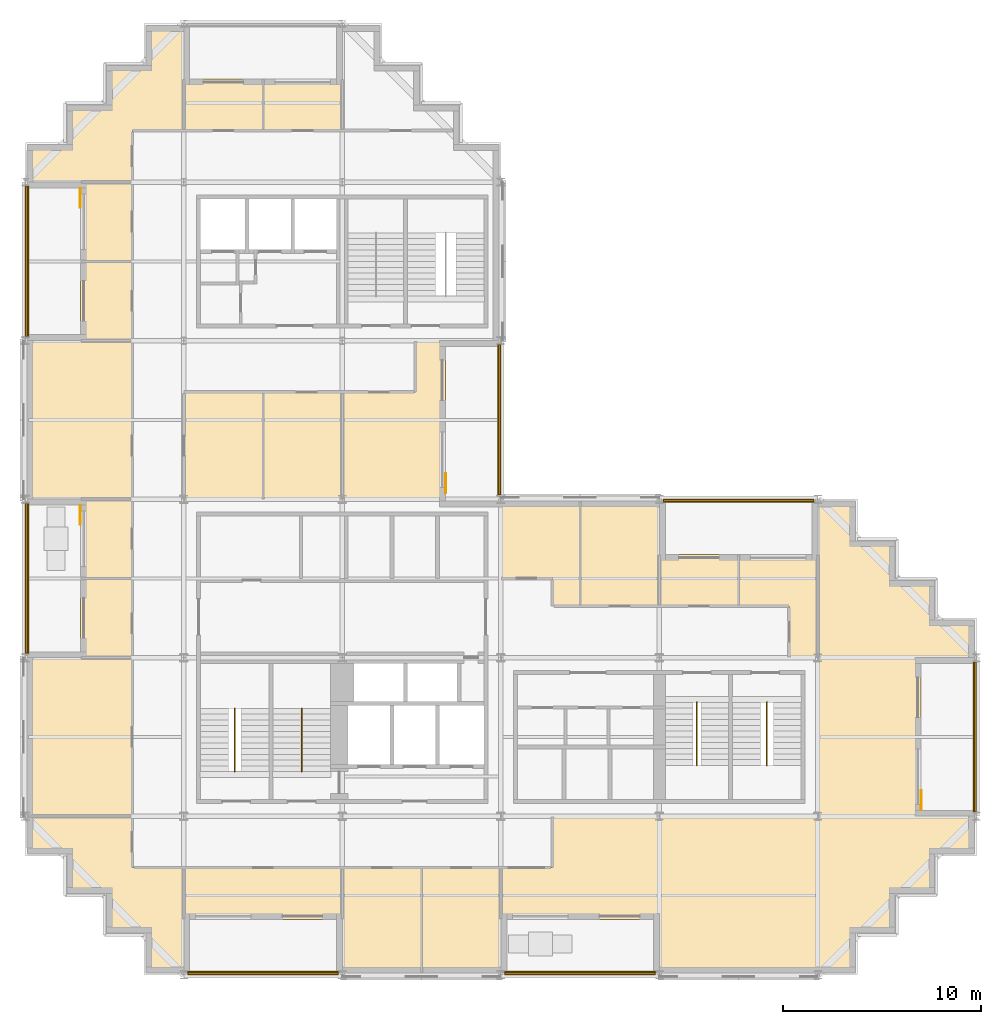
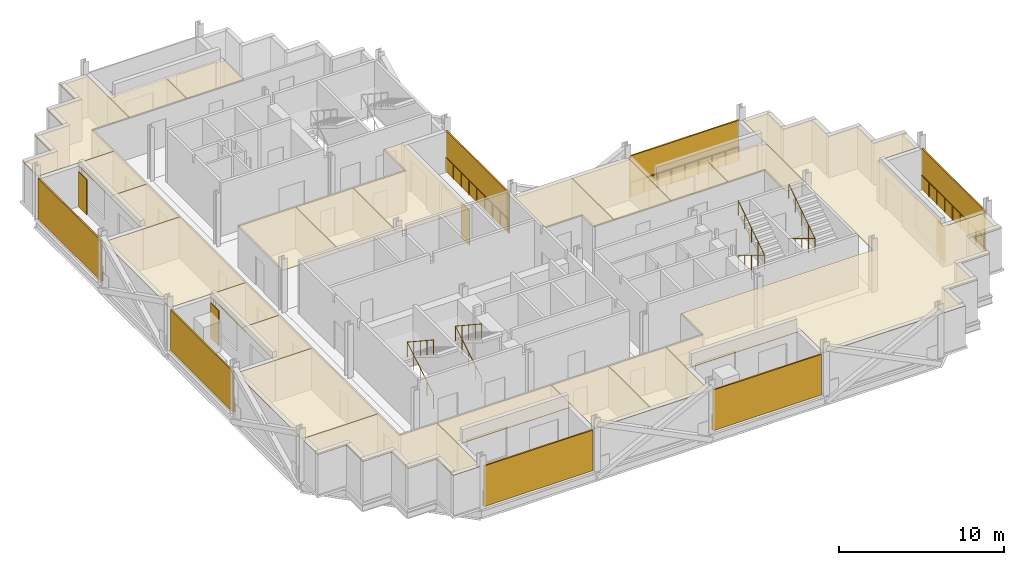
# One storey, part 10 of 12: 21 coverings, 11 railings, 11 shading devices.
"""IFC4 building model written with IfcOpenShell, lengths in metres."""

from ifc_helpers import new_model, si_unit, direction, frame, origin, origin_2d, place, context, subcontext, project, spatial, polyline, rectangle, circle, outline, extrude, material, layer, layer_set, type_object, element, save


model = new_model("IFC4")

# Units and contexts
model_context = context("Model", 3, precision=1e-05, world=origin(), true_north=direction((0.0, 1.0)))
body_context = subcontext(model_context, "Body", "Model", "MODEL_VIEW")
ifc_project = project(units=[si_unit("LENGTHUNIT", "METRE"), si_unit("AREAUNIT", "SQUARE_METRE"), si_unit("VOLUMEUNIT", "CUBIC_METRE"), si_unit("PLANEANGLEUNIT", "RADIAN"), si_unit("MASSUNIT", "GRAM", prefix="KILO")], contexts=[model_context])

# Site, building, storey
site_placement = place(None, origin())
site = spatial("IfcSite", under=ifc_project, at=site_placement, CompositionType="ELEMENT")
building_placement = place(site_placement, origin())
building = spatial("IfcBuilding", under=site, at=building_placement, Name="Immortelle Media Tower", CompositionType="ELEMENT")
storey_placement = place(building_placement, frame((0.0, 0.0, 178.800048828125)))
storey = spatial("IfcBuildingStorey", under=building, at=storey_placement, Name="L37", CompositionType="ELEMENT", Elevation=178.800048828125)

# Railings
ifc_material_1 = material(Name="Powder-coated aluminium fretwork panel, laminated glass backing", Category="aluminium")
railing_type_1 = type_object("IfcRailingType", Name="Fretwork balustrade 1100", PredefinedType="BALUSTRADE", material=ifc_material_1)
railing_1_placement = place(storey_placement, frame((8.202880859375, 0.139892578125, 0.0)))
element("IfcRailing", 1, at=railing_1_placement, inside=storey, type_object=railing_type_1, Name="Fretwork balustrade L37 S0", PredefinedType="BALUSTRADE", context=body_context, shape_type="SweptSolid", body=[
    extrude(circle(Radius=0.02490234375, at=origin_2d()), frame((0.0, 0.0, 1.0751953125), z_axis=(1.0, 0.0, 0.0), x_axis=(0.0, 1.0, 0.0)), (0.0, 0.0, 1.0), 7.591552734375),
    extrude(circle(Radius=0.02001953125, at=origin_2d()), origin(), (0.0, 0.0, 1.0), 1.050048828125),
    extrude(circle(Radius=0.02001953125, at=origin_2d()), frame((0.948974609375, 0.0, 0.0)), (0.0, 0.0, 1.0), 1.050048828125),
    extrude(circle(Radius=0.02001953125, at=origin_2d()), frame((1.89794921875, 0.0, 0.0)), (0.0, 0.0, 1.0), 1.050048828125),
    extrude(circle(Radius=0.02001953125, at=origin_2d()), frame((2.846923828125, 0.0, 0.0)), (0.0, 0.0, 1.0), 1.050048828125),
    extrude(circle(Radius=0.02001953125, at=origin_2d()), frame((3.7958984375, 0.0, 0.0)), (0.0, 0.0, 1.0), 1.050048828125),
    extrude(circle(Radius=0.02001953125, at=origin_2d()), frame((4.74462890625, 0.0, 0.0)), (0.0, 0.0, 1.0), 1.050048828125),
    extrude(circle(Radius=0.02001953125, at=origin_2d()), frame((5.693603515625, 0.0, 0.0)), (0.0, 0.0, 1.0), 1.050048828125),
    extrude(circle(Radius=0.02001953125, at=origin_2d()), frame((6.642578125, 0.0, 0.0)), (0.0, 0.0, 1.0), 1.050048828125),
    extrude(circle(Radius=0.02001953125, at=origin_2d()), frame((7.591552734375, 0.0, 0.0)), (0.0, 0.0, 1.0), 1.050048828125),
])
railing_2_placement = place(storey_placement, frame((24.20556640625, 0.139892578125, 0.0)))
element("IfcRailing", 2, at=railing_2_placement, inside=storey, type_object=railing_type_1, Name="Fretwork balustrade L37 S2", PredefinedType="BALUSTRADE", context=body_context, shape_type="SweptSolid", body=[
    extrude(circle(Radius=0.02490234375, at=origin_2d()), frame((0.0, 0.0, 1.0751953125), z_axis=(1.0, 0.0, 0.0), x_axis=(0.0, 1.0, 0.0)), (0.0, 0.0, 1.0), 7.5888671875),
    extrude(circle(Radius=0.02001953125, at=origin_2d()), origin(), (0.0, 0.0, 1.0), 1.050048828125),
    extrude(circle(Radius=0.02001953125, at=origin_2d()), frame((0.94873046875, 0.0, 0.0)), (0.0, 0.0, 1.0), 1.050048828125),
    extrude(circle(Radius=0.02001953125, at=origin_2d()), frame((1.897216796875, 0.0, 0.0)), (0.0, 0.0, 1.0), 1.050048828125),
    extrude(circle(Radius=0.02001953125, at=origin_2d()), frame((2.845703125, 0.0, 0.0)), (0.0, 0.0, 1.0), 1.050048828125),
    extrude(circle(Radius=0.02001953125, at=origin_2d()), frame((3.79443359375, 0.0, 0.0)), (0.0, 0.0, 1.0), 1.050048828125),
    extrude(circle(Radius=0.02001953125, at=origin_2d()), frame((4.7431640625, 0.0, 0.0)), (0.0, 0.0, 1.0), 1.050048828125),
    extrude(circle(Radius=0.02001953125, at=origin_2d()), frame((5.691650390625, 0.0, 0.0)), (0.0, 0.0, 1.0), 1.050048828125),
    extrude(circle(Radius=0.02001953125, at=origin_2d()), frame((6.64013671875, 0.0, 0.0)), (0.0, 0.0, 1.0), 1.050048828125),
    extrude(circle(Radius=0.02001953125, at=origin_2d()), frame((7.5888671875, 0.0, 0.0)), (0.0, 0.0, 1.0), 1.050048828125),
])
railing_3_placement = place(storey_placement, frame((47.860107421875, 8.20849609375, 0.0)))
element("IfcRailing", 3, at=railing_3_placement, inside=storey, type_object=railing_type_1, Name="Fretwork balustrade L37 E0", PredefinedType="BALUSTRADE", context=body_context, shape_type="SweptSolid", body=[
    extrude(circle(Radius=0.02490234375, at=origin_2d()), frame((0.0, 0.0, 1.0751953125), z_axis=(0.0, 1.0, 0.0), x_axis=(-1.0, 0.0, 0.0)), (0.0, 0.0, 1.0), 7.5830078125),
    extrude(circle(Radius=0.02001953125, at=origin_2d()), origin(), (0.0, 0.0, 1.0), 1.050048828125),
    extrude(circle(Radius=0.02001953125, at=origin_2d()), frame((0.0, 0.94775390625, 0.0)), (0.0, 0.0, 1.0), 1.050048828125),
    extrude(circle(Radius=0.02001953125, at=origin_2d()), frame((0.0, 1.895751953125, 0.0)), (0.0, 0.0, 1.0), 1.050048828125),
    extrude(circle(Radius=0.02001953125, at=origin_2d()), frame((0.0, 2.84375, 0.0)), (0.0, 0.0, 1.0), 1.050048828125),
    extrude(circle(Radius=0.02001953125, at=origin_2d()), frame((0.0, 3.79150390625, 0.0)), (0.0, 0.0, 1.0), 1.050048828125),
    extrude(circle(Radius=0.02001953125, at=origin_2d()), frame((0.0, 4.7392578125, 0.0)), (0.0, 0.0, 1.0), 1.050048828125),
    extrude(circle(Radius=0.02001953125, at=origin_2d()), frame((0.0, 5.687255859375, 0.0)), (0.0, 0.0, 1.0), 1.050048828125),
    extrude(circle(Radius=0.02001953125, at=origin_2d()), frame((0.0, 6.63525390625, 0.0)), (0.0, 0.0, 1.0), 1.050048828125),
    extrude(circle(Radius=0.02001953125, at=origin_2d()), frame((0.0, 7.5830078125, 0.0)), (0.0, 0.0, 1.0), 1.050048828125),
])
railing_4_placement = place(storey_placement, frame((39.797119140625, 23.860107421875, 0.0)))
element("IfcRailing", 4, at=railing_4_placement, inside=storey, type_object=railing_type_1, Name="Fretwork balustrade L37 N0", PredefinedType="BALUSTRADE", context=body_context, shape_type="SweptSolid", body=[
    extrude(circle(Radius=0.02490234375, at=origin_2d()), frame((0.0, 0.0, 1.0751953125), z_axis=(-1.0, 0.0, 0.0), x_axis=(0.0, -1.0, 0.0)), (0.0, 0.0, 1.0), 7.591552734375),
    extrude(circle(Radius=0.02001953125, at=origin_2d()), origin(), (0.0, 0.0, 1.0), 1.050048828125),
    extrude(circle(Radius=0.02001953125, at=origin_2d()), frame((-0.948974609375, 0.0, 0.0)), (0.0, 0.0, 1.0), 1.050048828125),
    extrude(circle(Radius=0.02001953125, at=origin_2d()), frame((-1.89794921875, 0.0, 0.0)), (0.0, 0.0, 1.0), 1.050048828125),
    extrude(circle(Radius=0.02001953125, at=origin_2d()), frame((-2.846923828125, 0.0, 0.0)), (0.0, 0.0, 1.0), 1.050048828125),
    extrude(circle(Radius=0.02001953125, at=origin_2d()), frame((-3.7958984375, 0.0, 0.0)), (0.0, 0.0, 1.0), 1.050048828125),
    extrude(circle(Radius=0.02001953125, at=origin_2d()), frame((-4.74462890625, 0.0, 0.0)), (0.0, 0.0, 1.0), 1.050048828125),
    extrude(circle(Radius=0.02001953125, at=origin_2d()), frame((-5.693603515625, 0.0, 0.0)), (0.0, 0.0, 1.0), 1.050048828125),
    extrude(circle(Radius=0.02001953125, at=origin_2d()), frame((-6.642578125, 0.0, 0.0)), (0.0, 0.0, 1.0), 1.050048828125),
    extrude(circle(Radius=0.02001953125, at=origin_2d()), frame((-7.591552734375, 0.0, 0.0)), (0.0, 0.0, 1.0), 1.050048828125),
])
railing_5_placement = place(storey_placement, frame((23.860107421875, 24.217041015625, 0.0)))
element("IfcRailing", 5, at=railing_5_placement, inside=storey, type_object=railing_type_1, Name="Fretwork balustrade L37 E0", PredefinedType="BALUSTRADE", context=body_context, shape_type="SweptSolid", body=[
    extrude(circle(Radius=0.02490234375, at=origin_2d()), frame((0.0, 0.0, 1.0751953125), z_axis=(0.0, 1.0, 0.0), x_axis=(-1.0, 0.0, 0.0)), (0.0, 0.0, 1.0), 7.58984375),
    extrude(circle(Radius=0.02001953125, at=origin_2d()), origin(), (0.0, 0.0, 1.0), 1.050048828125),
    extrude(circle(Radius=0.02001953125, at=origin_2d()), frame((0.0, 0.94873046875, 0.0)), (0.0, 0.0, 1.0), 1.050048828125),
    extrude(circle(Radius=0.02001953125, at=origin_2d()), frame((0.0, 1.8974609375, 0.0)), (0.0, 0.0, 1.0), 1.050048828125),
    extrude(circle(Radius=0.02001953125, at=origin_2d()), frame((0.0, 2.84619140625, 0.0)), (0.0, 0.0, 1.0), 1.050048828125),
    extrude(circle(Radius=0.02001953125, at=origin_2d()), frame((0.0, 3.794921875, 0.0)), (0.0, 0.0, 1.0), 1.050048828125),
    extrude(circle(Radius=0.02001953125, at=origin_2d()), frame((0.0, 4.74365234375, 0.0)), (0.0, 0.0, 1.0), 1.050048828125),
    extrude(circle(Radius=0.02001953125, at=origin_2d()), frame((0.0, 5.6923828125, 0.0)), (0.0, 0.0, 1.0), 1.050048828125),
    extrude(circle(Radius=0.02001953125, at=origin_2d()), frame((0.0, 6.64111328125, 0.0)), (0.0, 0.0, 1.0), 1.050048828125),
    extrude(circle(Radius=0.02001953125, at=origin_2d()), frame((0.0, 7.58984375, 0.0)), (0.0, 0.0, 1.0), 1.050048828125),
])
railing_6_placement = place(storey_placement, frame((0.139892578125, 39.81591796875, 0.0)))
element("IfcRailing", 6, at=railing_6_placement, inside=storey, type_object=railing_type_1, Name="Fretwork balustrade L37 W0", PredefinedType="BALUSTRADE", context=body_context, shape_type="SweptSolid", body=[
    extrude(circle(Radius=0.02490234375, at=origin_2d()), frame((0.0, 0.0, 1.0751953125), z_axis=(0.0, -1.0, 0.0), x_axis=(1.0, 0.0, 0.0)), (0.0, 0.0, 1.0), 7.622802734375),
    extrude(circle(Radius=0.02001953125, at=origin_2d()), origin(), (0.0, 0.0, 1.0), 1.050048828125),
    extrude(circle(Radius=0.02001953125, at=origin_2d()), frame((0.0, -0.952880859375, 0.0)), (0.0, 0.0, 1.0), 1.050048828125),
    extrude(circle(Radius=0.02001953125, at=origin_2d()), frame((0.0, -1.90576171875, 0.0)), (0.0, 0.0, 1.0), 1.050048828125),
    extrude(circle(Radius=0.02001953125, at=origin_2d()), frame((0.0, -2.858642578125, 0.0)), (0.0, 0.0, 1.0), 1.050048828125),
    extrude(circle(Radius=0.02001953125, at=origin_2d()), frame((0.0, -3.8115234375, 0.0)), (0.0, 0.0, 1.0), 1.050048828125),
    extrude(circle(Radius=0.02001953125, at=origin_2d()), frame((0.0, -4.76416015625, 0.0)), (0.0, 0.0, 1.0), 1.050048828125),
    extrude(circle(Radius=0.02001953125, at=origin_2d()), frame((0.0, -5.717041015625, 0.0)), (0.0, 0.0, 1.0), 1.050048828125),
    extrude(circle(Radius=0.02001953125, at=origin_2d()), frame((0.0, -6.669921875, 0.0)), (0.0, 0.0, 1.0), 1.050048828125),
    extrude(circle(Radius=0.02001953125, at=origin_2d()), frame((0.0, -7.622802734375, 0.0)), (0.0, 0.0, 1.0), 1.050048828125),
])
railing_7_placement = place(storey_placement, frame((0.139892578125, 23.806884765625, 0.0)))
element("IfcRailing", 7, at=railing_7_placement, inside=storey, type_object=railing_type_1, Name="Fretwork balustrade L37 W2", PredefinedType="BALUSTRADE", context=body_context, shape_type="SweptSolid", body=[
    extrude(circle(Radius=0.02490234375, at=origin_2d()), frame((0.0, 0.0, 1.0751953125), z_axis=(0.0, -1.0, 0.0), x_axis=(1.0, 0.0, 0.0)), (0.0, 0.0, 1.0), 7.58984375),
    extrude(circle(Radius=0.02001953125, at=origin_2d()), origin(), (0.0, 0.0, 1.0), 1.050048828125),
    extrude(circle(Radius=0.02001953125, at=origin_2d()), frame((0.0, -0.94873046875, 0.0)), (0.0, 0.0, 1.0), 1.050048828125),
    extrude(circle(Radius=0.02001953125, at=origin_2d()), frame((0.0, -1.8974609375, 0.0)), (0.0, 0.0, 1.0), 1.050048828125),
    extrude(circle(Radius=0.02001953125, at=origin_2d()), frame((0.0, -2.84619140625, 0.0)), (0.0, 0.0, 1.0), 1.050048828125),
    extrude(circle(Radius=0.02001953125, at=origin_2d()), frame((0.0, -3.794921875, 0.0)), (0.0, 0.0, 1.0), 1.050048828125),
    extrude(circle(Radius=0.02001953125, at=origin_2d()), frame((0.0, -4.74365234375, 0.0)), (0.0, 0.0, 1.0), 1.050048828125),
    extrude(circle(Radius=0.02001953125, at=origin_2d()), frame((0.0, -5.6923828125, 0.0)), (0.0, 0.0, 1.0), 1.050048828125),
    extrude(circle(Radius=0.02001953125, at=origin_2d()), frame((0.0, -6.64111328125, 0.0)), (0.0, 0.0, 1.0), 1.050048828125),
    extrude(circle(Radius=0.02001953125, at=origin_2d()), frame((0.0, -7.58984375, 0.0)), (0.0, 0.0, 1.0), 1.050048828125),
])

# Shading devices
ifc_material_2 = material(Name="Pale aluminium louvre blades", Category="aluminium")
ifc_layer_1 = layer(ifc_material_2, 0.10009765625)
ifc_layer_set_1 = layer_set([ifc_layer_1], Name="Pale aluminium louvre blades")
shading_device_type_1 = type_object("IfcShadingDeviceType", Name="Jalousie screen 100", PredefinedType="JALOUSIE", material=ifc_layer_set_1)
shading_device_1_placement = place(storey_placement, frame((11.998779296875, 0.050048828125, 0.0), z_axis=(0.0, 0.0, 1.0), x_axis=(1.0, 0.0, 0.0)))
element("IfcShadingDevice", 8, at=shading_device_1_placement, inside=storey, type_object=shading_device_type_1, Name="Jalousie screen L37 S0", PredefinedType="JALOUSIE", context=body_context, shape_type="SweptSolid", body=[
    extrude(rectangle(XDim=7.591552734375, YDim=0.10009765625, at=origin_2d()), origin(), (0.0, 0.0, 1.0), 3.0),
])
shading_device_2_placement = place(storey_placement, frame((28.0, 0.050048828125, 0.0), z_axis=(0.0, 0.0, 1.0), x_axis=(1.0, 0.0, 0.0)))
element("IfcShadingDevice", 9, at=shading_device_2_placement, inside=storey, type_object=shading_device_type_1, Name="Jalousie screen L37 S2", PredefinedType="JALOUSIE", context=body_context, shape_type="SweptSolid", body=[
    extrude(rectangle(XDim=7.589111328125, YDim=0.10009765625, at=origin_2d()), origin(), (0.0, 0.0, 1.0), 3.0),
])
shading_device_3_placement = place(storey_placement, frame((47.949951171875, 12.0, 0.0), z_axis=(0.0, 0.0, 1.0), x_axis=(0.0, 1.0, 0.0)))
element("IfcShadingDevice", 10, at=shading_device_3_placement, inside=storey, type_object=shading_device_type_1, Name="Jalousie screen L37 E0", PredefinedType="JALOUSIE", context=body_context, shape_type="SweptSolid", body=[
    extrude(rectangle(XDim=7.5830078125, YDim=0.10009765625, at=origin_2d()), origin(), (0.0, 0.0, 1.0), 3.0),
])
shading_device_4_placement = place(storey_placement, frame((36.001220703125, 23.949951171875, 0.0), z_axis=(0.0, 0.0, 1.0), x_axis=(-1.0, 0.0, 0.0)))
element("IfcShadingDevice", 11, at=shading_device_4_placement, inside=storey, type_object=shading_device_type_1, Name="Jalousie screen L37 N0", PredefinedType="JALOUSIE", context=body_context, shape_type="SweptSolid", body=[
    extrude(rectangle(XDim=7.591552734375, YDim=0.10009765625, at=origin_2d()), origin(), (0.0, 0.0, 1.0), 3.0),
])
shading_device_5_placement = place(storey_placement, frame((23.949951171875, 28.011962890625, 0.0), z_axis=(0.0, 0.0, 1.0), x_axis=(0.0, 1.0, 0.0)))
element("IfcShadingDevice", 12, at=shading_device_5_placement, inside=storey, type_object=shading_device_type_1, Name="Jalousie screen L37 E0", PredefinedType="JALOUSIE", context=body_context, shape_type="SweptSolid", body=[
    extrude(rectangle(XDim=7.590087890625, YDim=0.10009765625, at=origin_2d()), origin(), (0.0, 0.0, 1.0), 3.0),
])
shading_device_6_placement = place(storey_placement, frame((0.050048828125, 36.00439453125, 0.0), z_axis=(0.0, 0.0, 1.0), x_axis=(0.0, -1.0, 0.0)))
element("IfcShadingDevice", 13, at=shading_device_6_placement, inside=storey, type_object=shading_device_type_1, Name="Jalousie screen L37 W0", PredefinedType="JALOUSIE", context=body_context, shape_type="SweptSolid", body=[
    extrude(rectangle(XDim=7.623046875, YDim=0.10009765625, at=origin_2d()), origin(), (0.0, 0.0, 1.0), 3.0),
])
shading_device_7_placement = place(storey_placement, frame((0.050048828125, 20.011962890625, 0.0), z_axis=(0.0, 0.0, 1.0), x_axis=(0.0, -1.0, 0.0)))
element("IfcShadingDevice", 14, at=shading_device_7_placement, inside=storey, type_object=shading_device_type_1, Name="Jalousie screen L37 W2", PredefinedType="JALOUSIE", context=body_context, shape_type="SweptSolid", body=[
    extrude(rectangle(XDim=7.590087890625, YDim=0.10009765625, at=origin_2d()), origin(), (0.0, 0.0, 1.0), 3.0),
])
ifc_material_3 = material(Name="Pale aluminium louvre blades in a folding frame", Category="aluminium")
ifc_layer_2 = layer(ifc_material_3, 0.050048828125)
ifc_layer_set_2 = layer_set([ifc_layer_2], Name="Pale aluminium louvre blades in a folding frame")
shading_device_type_2 = type_object("IfcShadingDeviceType", Name="Louvred loggia shutter", PredefinedType="SHUTTER", material=ifc_layer_set_2)
for number, where, z_axis, x_axis, name in (
    (15, (45.22509765625, 8.800048828125, 0.0), (0.0, 0.0, 1.0), (0.0, 1.0, 0.0), "Loggia shutter L37 E0"),
    (16, (21.22509765625, 24.800048828125, 0.0), (0.0, 0.0, 1.0), (0.0, 1.0, 0.0), "Loggia shutter L37 E0"),
    (17, (2.77490234375, 39.199951171875, 0.0), (0.0, 0.0, 1.0), (0.0, -1.0, 0.0), "Loggia shutter L37 W0"),
    (18, (2.77490234375, 23.199951171875, 0.0), (0.0, 0.0, 1.0), (0.0, -1.0, 0.0), "Loggia shutter L37 W2"),
):
    element("IfcShadingDevice", number, at=place(storey_placement, frame(where, z_axis=z_axis, x_axis=x_axis)), inside=storey, type_object=shading_device_type_2, Name=name, PredefinedType="SHUTTER", context=body_context, shape_type="SweptSolid", body=[
        extrude(rectangle(XDim=1.0, YDim=0.050048828125, at=origin_2d()), origin(), (0.0, 0.0, 1.0), 2.60009765625),
    ])

# Railings
ifc_material_4 = material(Name="Stainless steel AISI 316", Category="steel")
railing_type_2 = type_object("IfcRailingType", Name="Stair guard 1100", PredefinedType="GUARDRAIL", material=ifc_material_4)
for number, where, name in (
    (19, (10.574951171875, 10.25, 0.175048828125), "Stair guard SW1"),
    (20, (13.949951171875, 10.25, 0.175048828125), "Stair guard SW2"),
):
    element("IfcRailing", number, at=place(storey_placement, frame(where)), inside=storey, type_object=railing_type_2, Name=name, PredefinedType="GUARDRAIL", context=body_context, shape_type="SweptSolid", body=[
        extrude(circle(Radius=0.02392578125, at=origin_2d()), frame((0.0, 0.0, 1.076171875), z_axis=(0.0, 0.856206652436, 0.516633495163), x_axis=(-1.0, 0.0, 0.0)), (0.0, 0.0, 1.0), 3.7255859375),
        extrude(circle(Radius=0.02392578125, at=origin_2d()), frame((0.0, 3.18994140625, 3.0009765625), z_axis=(0.0, -0.835242474824, 0.549881812983), x_axis=(1.0, 0.0, 0.0)), (0.0, 0.0, 1.0), 3.819091796875),
        extrude(circle(Radius=0.02099609375, at=origin_2d()), origin(), (0.0, 0.0, 1.0), 1.052001953125),
        extrude(circle(Radius=0.02099609375, at=origin_2d()), frame((0.0, 0.79736328125, 0.481201171875)), (0.0, 0.0, 1.0), 1.052001953125),
        extrude(circle(Radius=0.02099609375, at=origin_2d()), frame((0.0, 1.594970703125, 0.96240234375)), (0.0, 0.0, 1.0), 1.052001953125),
        extrude(circle(Radius=0.02099609375, at=origin_2d()), frame((0.0, 2.392578125, 1.443603515625)), (0.0, 0.0, 1.0), 1.052001953125),
        extrude(circle(Radius=0.02099609375, at=origin_2d()), frame((0.0, 3.18994140625, 1.9248046875)), (0.0, 0.0, 1.0), 1.052001953125),
        extrude(circle(Radius=0.02099609375, at=origin_2d()), frame((0.0, 2.392578125, 2.44970703125)), (0.0, 0.0, 1.0), 1.052001953125),
        extrude(circle(Radius=0.02099609375, at=origin_2d()), frame((0.0, 1.594970703125, 2.974853515625)), (0.0, 0.0, 1.0), 1.052001953125),
        extrude(circle(Radius=0.02099609375, at=origin_2d()), frame((0.0, 0.79736328125, 3.5)), (0.0, 0.0, 1.0), 1.052001953125),
        extrude(circle(Radius=0.02099609375, at=origin_2d()), frame((0.0, 0.0, 4.02490234375)), (0.0, 0.0, 1.0), 1.052001953125),
    ])
for number, where, name in (
    (21, (33.89990234375, 13.75, 0.175048828125), "Stair guard SE1"),
    (22, (37.425048828125, 13.75, 0.175048828125), "Stair guard SE2"),
):
    element("IfcRailing", number, at=place(storey_placement, frame(where)), inside=storey, type_object=railing_type_2, Name=name, PredefinedType="GUARDRAIL", context=body_context, shape_type="SweptSolid", body=[
        extrude(circle(Radius=0.02392578125, at=origin_2d()), frame((0.0, 0.0, 1.076171875), z_axis=(0.0, -0.856206652436, 0.516633495163), x_axis=(1.0, 0.0, 0.0)), (0.0, 0.0, 1.0), 3.7255859375),
        extrude(circle(Radius=0.02392578125, at=origin_2d()), frame((0.0, -3.18994140625, 3.0009765625), z_axis=(0.0, 0.835242474824, 0.549881812983), x_axis=(-1.0, 0.0, 0.0)), (0.0, 0.0, 1.0), 3.819091796875),
        extrude(circle(Radius=0.02099609375, at=origin_2d()), origin(), (0.0, 0.0, 1.0), 1.052001953125),
        extrude(circle(Radius=0.02099609375, at=origin_2d()), frame((0.0, -0.79736328125, 0.481201171875)), (0.0, 0.0, 1.0), 1.052001953125),
        extrude(circle(Radius=0.02099609375, at=origin_2d()), frame((0.0, -1.594970703125, 0.96240234375)), (0.0, 0.0, 1.0), 1.052001953125),
        extrude(circle(Radius=0.02099609375, at=origin_2d()), frame((0.0, -2.392578125, 1.443603515625)), (0.0, 0.0, 1.0), 1.052001953125),
        extrude(circle(Radius=0.02099609375, at=origin_2d()), frame((0.0, -3.18994140625, 1.9248046875)), (0.0, 0.0, 1.0), 1.052001953125),
        extrude(circle(Radius=0.02099609375, at=origin_2d()), frame((0.0, -2.392578125, 2.44970703125)), (0.0, 0.0, 1.0), 1.052001953125),
        extrude(circle(Radius=0.02099609375, at=origin_2d()), frame((0.0, -1.594970703125, 2.974853515625)), (0.0, 0.0, 1.0), 1.052001953125),
        extrude(circle(Radius=0.02099609375, at=origin_2d()), frame((0.0, -0.79736328125, 3.5)), (0.0, 0.0, 1.0), 1.052001953125),
        extrude(circle(Radius=0.02099609375, at=origin_2d()), frame((0.0, 0.0, 4.02490234375)), (0.0, 0.0, 1.0), 1.052001953125),
    ])

# Coverings
ifc_material_5 = material(Name="Mineral fibre tile ceiling")
ifc_layer_3 = layer(ifc_material_5, 0.050048828125)
ifc_layer_set_3 = layer_set([ifc_layer_3], Name="Mineral fibre tile ceiling")
covering_type = type_object("IfcCoveringType", Name="Suspended ceiling 50", PredefinedType="CEILING", material=ifc_layer_set_3)
covering_1_placement = place(storey_placement, frame((0.0, 0.0, 2.94384765625)))
element("IfcCovering", 23, at=covering_1_placement, inside=storey, type_object=covering_type, Name="Ceiling L37-001", PredefinedType="CEILING", context=body_context, shape_type="SweptSolid", body=[
    extrude(outline(polyline([(16.0, 2.800048828125), (16.0, 5.39990234375), (20.0, 5.39990234375), (20.0, 0.10009765625), (16.0, 0.10009765625), (16.0, 2.800048828125)])), origin(), (0.0, 0.0, 1.0), 0.050048828125),
])
covering_2_placement = place(storey_placement, frame((0.0, 0.0, 2.94384765625)))
element("IfcCovering", 24, at=covering_2_placement, inside=storey, type_object=covering_type, Name="Ceiling L37-002", PredefinedType="CEILING", context=body_context, shape_type="SweptSolid", body=[
    extrude(outline(polyline([(24.0, 5.39990234375), (24.0, 2.800048828125), (24.0, 0.10009765625), (20.0, 0.10009765625), (20.0, 5.39990234375), (24.0, 5.39990234375)])), origin(), (0.0, 0.0, 1.0), 0.050048828125),
])
covering_3_placement = place(storey_placement, frame((0.0, 0.0, 2.94384765625)))
element("IfcCovering", 25, at=covering_3_placement, inside=storey, type_object=covering_type, Name="Ceiling L37-003", PredefinedType="CEILING", context=body_context, shape_type="SweptSolid", body=[
    extrude(outline(polyline([(8.0, 2.800048828125), (8.0, 5.39990234375), (16.0, 5.39990234375), (16.0, 2.800048828125), (8.0, 2.800048828125)])), origin(), (0.0, 0.0, 1.0), 0.050048828125),
])
covering_4_placement = place(storey_placement, frame((0.0, 0.0, 2.94384765625)))
element("IfcCovering", 26, at=covering_4_placement, inside=storey, type_object=covering_type, Name="Ceiling L37-004", PredefinedType="CEILING", context=body_context, shape_type="SweptSolid", body=[
    extrude(outline(polyline([(4.10009765625, 2.10009765625), (4.10009765625, 4.10009765625), (4.0, 4.10009765625), (2.10009765625, 4.10009765625), (2.10009765625, 6.10009765625), (0.10009765625, 6.10009765625), (0.10009765625, 8.0), (4.0, 8.0), (5.39990234375, 8.0), (5.39990234375, 5.39990234375), (8.0, 5.39990234375), (8.0, 2.800048828125), (8.0, 0.10009765625), (6.10009765625, 0.10009765625), (6.10009765625, 2.10009765625), (4.10009765625, 2.10009765625)])), origin(), (0.0, 0.0, 1.0), 0.050048828125),
])
covering_5_placement = place(storey_placement, frame((0.0, 0.0, 2.94384765625)))
element("IfcCovering", 27, at=covering_5_placement, inside=storey, type_object=covering_type, Name="Ceiling L37-005", PredefinedType="CEILING", context=body_context, shape_type="SweptSolid", body=[
    extrude(outline(polyline([(26.60009765625, 5.39990234375), (26.60009765625, 8.0), (32.0, 8.0), (40.0, 8.0), (40.0, 16.0), (40.0, 21.199951171875), (40.0, 23.89990234375), (41.89990234375, 23.89990234375), (41.89990234375, 21.89990234375), (43.89990234375, 21.89990234375), (43.89990234375, 19.89990234375), (45.89990234375, 19.89990234375), (45.89990234375, 17.89990234375), (47.89990234375, 17.89990234375), (47.89990234375, 16.0), (45.199951171875, 16.0), (45.199951171875, 8.0), (47.89990234375, 8.0), (47.89990234375, 6.10009765625), (45.89990234375, 6.10009765625), (45.89990234375, 4.10009765625), (43.89990234375, 4.10009765625), (43.89990234375, 2.10009765625), (41.89990234375, 2.10009765625), (41.89990234375, 0.10009765625), (40.0, 0.10009765625), (32.0, 0.10009765625), (32.0, 2.800048828125), (24.0, 2.800048828125), (24.0, 5.39990234375), (26.60009765625, 5.39990234375)])), origin(), (0.0, 0.0, 1.0), 0.050048828125),
])
covering_6_placement = place(storey_placement, frame((0.0, 0.0, 2.94384765625)))
element("IfcCovering", 28, at=covering_6_placement, inside=storey, type_object=covering_type, Name="Ceiling L37-006", PredefinedType="CEILING", context=body_context, shape_type="SweptSolid", body=[
    extrude(outline(polyline([(5.39990234375, 8.0), (0.10009765625, 8.0), (0.10009765625, 16.0), (2.800048828125, 16.0), (5.39990234375, 16.0), (5.39990234375, 8.0)])), origin(), (0.0, 0.0, 1.0), 0.050048828125),
])
covering_7_placement = place(storey_placement, frame((0.0, 0.0, 2.94384765625)))
element("IfcCovering", 29, at=covering_7_placement, inside=storey, type_object=covering_type, Name="Ceiling L37-007", PredefinedType="CEILING", context=body_context, shape_type="SweptSolid", body=[
    extrude(outline(polyline([(32.0, 18.60009765625), (32.0, 21.199951171875), (36.0, 21.199951171875), (36.0, 18.60009765625), (32.0, 18.60009765625)])), origin(), (0.0, 0.0, 1.0), 0.050048828125),
])
covering_8_placement = place(storey_placement, frame((0.0, 0.0, 2.94384765625)))
element("IfcCovering", 30, at=covering_8_placement, inside=storey, type_object=covering_type, Name="Ceiling L37-008", PredefinedType="CEILING", context=body_context, shape_type="SweptSolid", body=[
    extrude(outline(polyline([(38.550048828125, 18.60009765625), (36.0, 18.60009765625), (36.0, 21.199951171875), (40.0, 21.199951171875), (40.0, 16.0), (38.550048828125, 16.0), (38.550048828125, 18.60009765625)])), origin(), (0.0, 0.0, 1.0), 0.050048828125),
])
covering_9_placement = place(storey_placement, frame((0.0, 0.0, 2.94384765625)))
element("IfcCovering", 31, at=covering_9_placement, inside=storey, type_object=covering_type, Name="Ceiling L37-009", PredefinedType="CEILING", context=body_context, shape_type="SweptSolid", body=[
    extrude(outline(polyline([(5.39990234375, 16.0), (2.800048828125, 16.0), (2.800048828125, 20.0), (5.39990234375, 20.0), (5.39990234375, 19.449951171875), (5.39990234375, 16.0)])), origin(), (0.0, 0.0, 1.0), 0.050048828125),
])
covering_10_placement = place(storey_placement, frame((0.0, 0.0, 2.94384765625)))
element("IfcCovering", 32, at=covering_10_placement, inside=storey, type_object=covering_type, Name="Ceiling L37-010", PredefinedType="CEILING", context=body_context, shape_type="SweptSolid", body=[
    extrude(outline(polyline([(2.800048828125, 24.0), (5.39990234375, 24.0), (5.39990234375, 20.0), (2.800048828125, 20.0), (2.800048828125, 24.0)])), origin(), (0.0, 0.0, 1.0), 0.050048828125),
])
covering_11_placement = place(storey_placement, frame((0.0, 0.0, 2.94384765625)))
element("IfcCovering", 33, at=covering_11_placement, inside=storey, type_object=covering_type, Name="Ceiling L37-011", PredefinedType="CEILING", context=body_context, shape_type="SweptSolid", body=[
    extrude(outline(polyline([(26.60009765625, 18.60009765625), (26.60009765625, 20.0), (24.0, 20.0), (24.0, 23.89990234375), (28.0, 23.89990234375), (28.0, 18.60009765625), (27.0, 18.60009765625), (26.60009765625, 18.60009765625)])), origin(), (0.0, 0.0, 1.0), 0.050048828125),
])
covering_12_placement = place(storey_placement, frame((0.0, 0.0, 2.94384765625)))
element("IfcCovering", 34, at=covering_12_placement, inside=storey, type_object=covering_type, Name="Ceiling L37-012", PredefinedType="CEILING", context=body_context, shape_type="SweptSolid", body=[
    extrude(outline(polyline([(32.0, 23.89990234375), (32.0, 21.199951171875), (32.0, 18.60009765625), (28.0, 18.60009765625), (28.0, 23.89990234375), (32.0, 23.89990234375)])), origin(), (0.0, 0.0, 1.0), 0.050048828125),
])
covering_13_placement = place(storey_placement, frame((0.0, 0.0, 2.94384765625)))
element("IfcCovering", 35, at=covering_13_placement, inside=storey, type_object=covering_type, Name="Ceiling L37-013", PredefinedType="CEILING", context=body_context, shape_type="SweptSolid", body=[
    extrude(outline(polyline([(8.0, 29.39990234375), (12.0, 29.39990234375), (12.0, 24.0), (8.0, 24.0), (8.0, 29.39990234375)])), origin(), (0.0, 0.0, 1.0), 0.050048828125),
])
covering_14_placement = place(storey_placement, frame((0.0, 0.0, 2.94384765625)))
element("IfcCovering", 36, at=covering_14_placement, inside=storey, type_object=covering_type, Name="Ceiling L37-014", PredefinedType="CEILING", context=body_context, shape_type="SweptSolid", body=[
    extrude(outline(polyline([(12.199951171875, 29.39990234375), (12.39990234375, 29.39990234375), (16.0, 29.39990234375), (16.0, 24.0), (12.0, 24.0), (12.0, 29.39990234375), (12.199951171875, 29.39990234375)])), origin(), (0.0, 0.0, 1.0), 0.050048828125),
])
covering_15_placement = place(storey_placement, frame((0.0, 0.0, 2.94384765625)))
element("IfcCovering", 37, at=covering_15_placement, inside=storey, type_object=covering_type, Name="Ceiling L37-015", PredefinedType="CEILING", context=body_context, shape_type="SweptSolid", body=[
    extrude(outline(polyline([(16.0, 24.0), (16.0, 29.39990234375), (19.699951171875, 29.39990234375), (19.699951171875, 32.0), (21.199951171875, 32.0), (21.199951171875, 24.0), (16.0, 24.0)])), origin(), (0.0, 0.0, 1.0), 0.050048828125),
])
covering_16_placement = place(storey_placement, frame((0.0, 0.0, 2.94384765625)))
element("IfcCovering", 38, at=covering_16_placement, inside=storey, type_object=covering_type, Name="Ceiling L37-016", PredefinedType="CEILING", context=body_context, shape_type="SweptSolid", body=[
    extrude(outline(polyline([(5.39990234375, 29.39990234375), (5.39990234375, 24.0), (2.800048828125, 24.0), (0.10009765625, 24.0), (0.10009765625, 32.0), (2.800048828125, 32.0), (5.39990234375, 32.0), (5.39990234375, 29.39990234375)])), origin(), (0.0, 0.0, 1.0), 0.050048828125),
])
covering_17_placement = place(storey_placement, frame((0.0, 0.0, 2.94384765625)))
element("IfcCovering", 39, at=covering_17_placement, inside=storey, type_object=covering_type, Name="Ceiling L37-017", PredefinedType="CEILING", context=body_context, shape_type="SweptSolid", body=[
    extrude(outline(polyline([(5.39990234375, 32.0), (2.800048828125, 32.0), (2.800048828125, 36.0), (5.39990234375, 36.0), (5.39990234375, 32.0)])), origin(), (0.0, 0.0, 1.0), 0.050048828125),
])
covering_18_placement = place(storey_placement, frame((0.0, 0.0, 2.94384765625)))
element("IfcCovering", 40, at=covering_18_placement, inside=storey, type_object=covering_type, Name="Ceiling L37-018", PredefinedType="CEILING", context=body_context, shape_type="SweptSolid", body=[
    extrude(outline(polyline([(2.800048828125, 40.0), (5.39990234375, 40.0), (5.39990234375, 36.0), (2.800048828125, 36.0), (2.800048828125, 40.0)])), origin(), (0.0, 0.0, 1.0), 0.050048828125),
])
covering_19_placement = place(storey_placement, frame((0.0, 0.0, 2.94384765625)))
element("IfcCovering", 41, at=covering_19_placement, inside=storey, type_object=covering_type, Name="Ceiling L37-019", PredefinedType="CEILING", context=body_context, shape_type="SweptSolid", body=[
    extrude(outline(polyline([(2.800048828125, 40.0), (0.10009765625, 40.0), (0.10009765625, 41.89990234375), (2.10009765625, 41.89990234375), (2.10009765625, 43.89990234375), (4.10009765625, 43.89990234375), (4.10009765625, 44.0), (4.10009765625, 45.89990234375), (6.10009765625, 45.89990234375), (6.10009765625, 47.89990234375), (8.0, 47.89990234375), (8.0, 45.199951171875), (8.0, 44.0), (8.0, 42.60009765625), (5.39990234375, 42.60009765625), (5.39990234375, 40.0), (2.800048828125, 40.0)])), origin(), (0.0, 0.0, 1.0), 0.050048828125),
])
covering_20_placement = place(storey_placement, frame((0.0, 0.0, 2.94384765625)))
element("IfcCovering", 42, at=covering_20_placement, inside=storey, type_object=covering_type, Name="Ceiling L37-020", PredefinedType="CEILING", context=body_context, shape_type="SweptSolid", body=[
    extrude(outline(polyline([(8.0, 45.199951171875), (12.0, 45.199951171875), (12.0, 42.60009765625), (8.0, 42.60009765625), (8.0, 45.199951171875)])), origin(), (0.0, 0.0, 1.0), 0.050048828125),
])
covering_21_placement = place(storey_placement, frame((0.0, 0.0, 2.94384765625)))
element("IfcCovering", 43, at=covering_21_placement, inside=storey, type_object=covering_type, Name="Ceiling L37-021", PredefinedType="CEILING", context=body_context, shape_type="SweptSolid", body=[
    extrude(outline(polyline([(16.0, 45.199951171875), (16.0, 42.60009765625), (12.0, 42.60009765625), (12.0, 45.199951171875), (16.0, 45.199951171875)])), origin(), (0.0, 0.0, 1.0), 0.050048828125),
])

save(model, "model.ifc")
